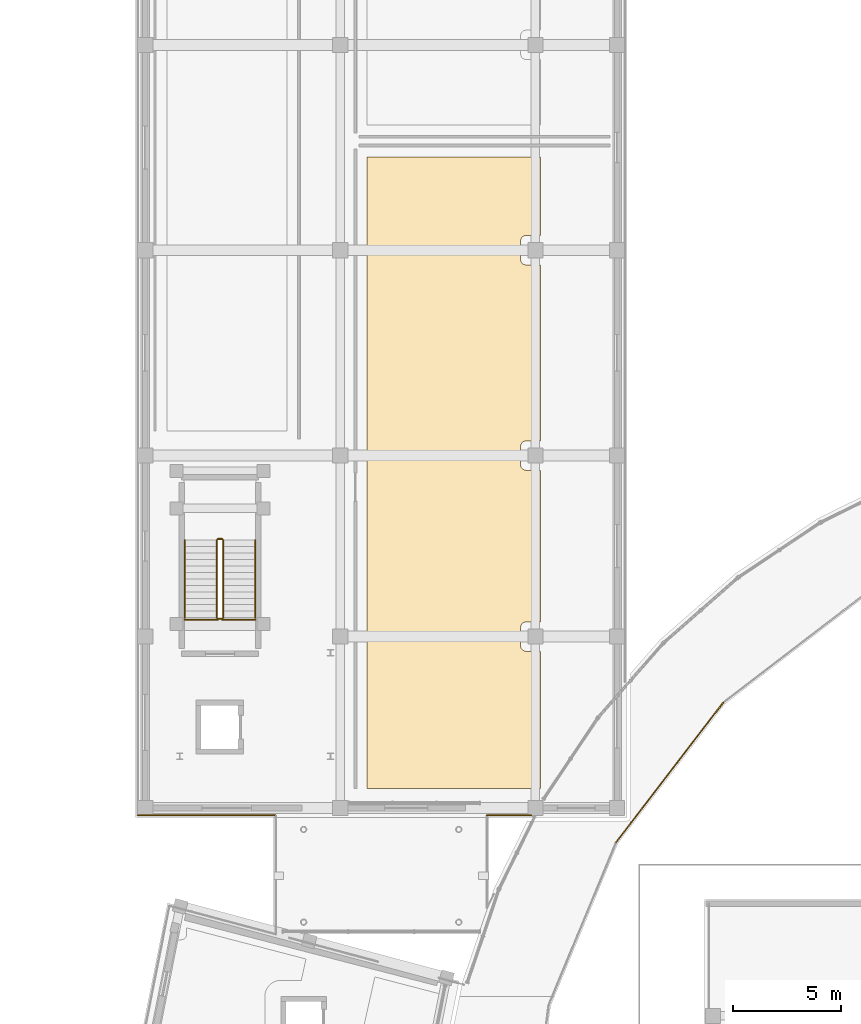
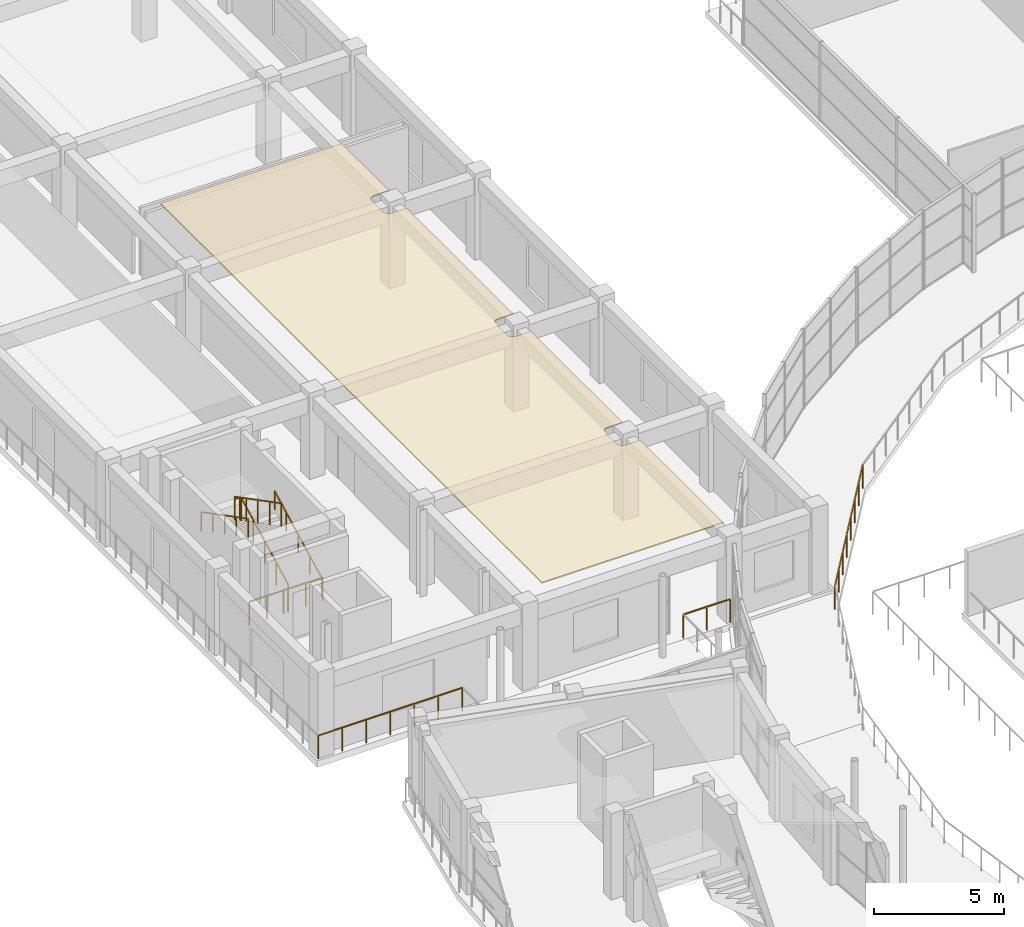
# One storey, part 74 of 83: 11 railings, 1 covering.
"""IFC4 building model written with IfcOpenShell, lengths in metres."""

from ifc_helpers import new_model, si_unit, direction, frame, origin, origin_2d, place, context, subcontext, project, spatial, polyline, rectangle, outline, extrude, material, layer, layer_set, type_object, element, save


model = new_model("IFC4")

# Units and contexts
model_context = context("Model", 3, precision=1e-05, world=origin(), true_north=direction((0.0, 1.0)))
body_context = subcontext(model_context, "Body", "Model", "MODEL_VIEW")
ifc_project = project(units=[si_unit("LENGTHUNIT", "METRE"), si_unit("AREAUNIT", "SQUARE_METRE"), si_unit("VOLUMEUNIT", "CUBIC_METRE"), si_unit("PLANEANGLEUNIT", "RADIAN"), si_unit("MASSUNIT", "GRAM", prefix="KILO")], contexts=[model_context])

# Site, building, storey
site_placement = place(None, origin())
site = spatial("IfcSite", under=ifc_project, at=site_placement, CompositionType="ELEMENT")
building_placement = place(site_placement, origin())
building = spatial("IfcBuilding", under=site, at=building_placement, Name="Saryqyr Civic Hall", CompositionType="ELEMENT")
storey_placement = place(building_placement, frame((0.0, 0.0, 9.14990234375)))
storey = spatial("IfcBuildingStorey", under=building, at=storey_placement, Name="L02", CompositionType="ELEMENT", Elevation=9.14990234375)

# Covering
ifc_material_1 = material(Name="Mineral-fibre acoustic ceiling tile", Category="acoustic_tile")
ifc_layer_1 = layer(ifc_material_1, 0.06005859375, Name="Mineral-fibre acoustic ceiling tile")
ifc_layer_set_1 = layer_set([ifc_layer_1], Name="Mineral-fibre acoustic ceiling tile")
covering_type = type_object("IfcCoveringType", Name="INT-COV-CEIL-60", PredefinedType="CEILING", material=ifc_layer_set_1)
covering_placement = place(storey_placement, frame((0.0, 0.0, 3.72998046875)))
element("IfcCovering", 1, at=covering_placement, inside=storey, type_object=covering_type, Name="Acoustic ceiling Legislative Reference Law Stacks", PredefinedType="CEILING", context=body_context, shape_type="SweptSolid", body=[
    extrude(outline(polyline([(18.35009765625, 102.14990234375), (18.35009765625, 131.449951171875), (26.39990234375, 131.449951171875), (26.39990234375, 127.81005859375), (25.719970703125, 127.81005859375), (25.695556640625, 127.808837890625), (25.671142578125, 127.80517578125), (25.6474609375, 127.79931640625), (25.624267578125, 127.791015625), (25.602294921875, 127.780517578125), (25.5810546875, 127.767822265625), (25.561279296875, 127.75341796875), (25.543212890625, 127.73681640625), (25.526611328125, 127.718505859375), (25.51220703125, 127.698974609375), (25.49951171875, 127.677734375), (25.489013671875, 127.65576171875), (25.480712890625, 127.632568359375), (25.474853515625, 127.60888671875), (25.47119140625, 127.58447265625), (25.469970703125, 127.56005859375), (25.469970703125, 126.699951171875), (25.47119140625, 126.675537109375), (25.474853515625, 126.651123046875), (25.480712890625, 126.62744140625), (25.489013671875, 126.604248046875), (25.49951171875, 126.582275390625), (25.51220703125, 126.56103515625), (25.526611328125, 126.54150390625), (25.543212890625, 126.523193359375), (25.561279296875, 126.506591796875), (25.5810546875, 126.4921875), (25.602294921875, 126.4794921875), (25.624267578125, 126.468994140625), (25.6474609375, 126.460693359375), (25.671142578125, 126.454833984375), (25.695556640625, 126.451171875), (25.719970703125, 126.449951171875), (26.39990234375, 126.449951171875), (26.39990234375, 118.280029296875), (25.719970703125, 118.280029296875), (25.695556640625, 118.27880859375), (25.671142578125, 118.275146484375), (25.6474609375, 118.269287109375), (25.624267578125, 118.260986328125), (25.602294921875, 118.25048828125), (25.5810546875, 118.23779296875), (25.561279296875, 118.223388671875), (25.543212890625, 118.206787109375), (25.526611328125, 118.188720703125), (25.51220703125, 118.1689453125), (25.49951171875, 118.147705078125), (25.489013671875, 118.125732421875), (25.480712890625, 118.1025390625), (25.474853515625, 118.078857421875), (25.47119140625, 118.054443359375), (25.469970703125, 118.030029296875), (25.469970703125, 117.169921875), (25.47119140625, 117.1455078125), (25.474853515625, 117.12109375), (25.480712890625, 117.097412109375), (25.489013671875, 117.07421875), (25.49951171875, 117.05224609375), (25.51220703125, 117.031005859375), (25.526611328125, 117.011474609375), (25.543212890625, 116.9931640625), (25.561279296875, 116.976806640625), (25.5810546875, 116.962158203125), (25.602294921875, 116.949462890625), (25.624267578125, 116.93896484375), (25.6474609375, 116.930908203125), (25.671142578125, 116.9248046875), (25.695556640625, 116.921142578125), (25.719970703125, 116.919921875), (26.39990234375, 116.919921875), (26.39990234375, 109.8798828125), (25.719970703125, 109.8798828125), (25.695556640625, 109.87890625), (25.671142578125, 109.875244140625), (25.6474609375, 109.869140625), (25.624267578125, 109.861083984375), (25.602294921875, 109.8505859375), (25.5810546875, 109.837890625), (25.561279296875, 109.8232421875), (25.543212890625, 109.806884765625), (25.526611328125, 109.78857421875), (25.51220703125, 109.768798828125), (25.49951171875, 109.747802734375), (25.489013671875, 109.7255859375), (25.480712890625, 109.70263671875), (25.474853515625, 109.6787109375), (25.47119140625, 109.654541015625), (25.469970703125, 109.6298828125), (25.469970703125, 108.77001953125), (25.47119140625, 108.74560546875), (25.474853515625, 108.72119140625), (25.480712890625, 108.697509765625), (25.489013671875, 108.67431640625), (25.49951171875, 108.652099609375), (25.51220703125, 108.631103515625), (25.526611328125, 108.611328125), (25.543212890625, 108.59326171875), (25.561279296875, 108.57666015625), (25.5810546875, 108.56201171875), (25.602294921875, 108.549560546875), (25.624267578125, 108.5390625), (25.6474609375, 108.53076171875), (25.671142578125, 108.52490234375), (25.695556640625, 108.521240234375), (25.719970703125, 108.52001953125), (26.39990234375, 108.52001953125), (26.39990234375, 102.14990234375), (18.35009765625, 102.14990234375)])), origin(), (0.0, 0.0, 1.0), 0.06005859375),
])

# Railings
ifc_material_2 = material(Name="Warm brushed brass and laminated glass", Category="glass")
ifc_layer_2 = layer(ifc_material_2, 0.06005859375, Name="Warm brushed brass and laminated glass")
ifc_layer_set_2 = layer_set([ifc_layer_2], Name="Warm brushed brass and laminated glass")
railing_type_1 = type_object("IfcRailingType", Name="INT-RLG-BAL-1100", PredefinedType="BALUSTRADE", material=ifc_layer_set_2)
railing_1_placement = place(storey_placement, frame((11.669921875, 110.080078125, 0.15576171875)))
element("IfcRailing", 2, at=railing_1_placement, inside=storey, type_object=railing_type_1, Name="L02 ST-3 stair guard 1", PredefinedType="BALUSTRADE", context=body_context, shape_type="SweptSolid", body=[
    extrude(rectangle(XDim=0.048095703125, YDim=0.048095703125, at=origin_2d()), frame((0.0, 0.0, 1.076171875), z_axis=(0.0, 0.887472880572, 0.460859942119), x_axis=(-1.0, 0.0, 0.0)), (0.0, 0.0, 1.0), 4.056396484375),
    extrude(rectangle(XDim=0.0419921875, YDim=0.0419921875, at=origin_2d()), origin(), (0.0, 0.0, 1.0), 1.052001953125),
    extrude(rectangle(XDim=0.0419921875, YDim=0.0419921875, at=origin_2d()), frame((0.0, 0.89990234375, 0.46728515625)), (0.0, 0.0, 1.0), 1.052001953125),
    extrude(rectangle(XDim=0.0419921875, YDim=0.0419921875, at=origin_2d()), frame((0.0, 1.7998046875, 0.9345703125)), (0.0, 0.0, 1.0), 1.052001953125),
    extrude(rectangle(XDim=0.0419921875, YDim=0.0419921875, at=origin_2d()), frame((0.0, 2.699951171875, 1.402099609375)), (0.0, 0.0, 1.0), 1.052001953125),
    extrude(rectangle(XDim=0.0419921875, YDim=0.0419921875, at=origin_2d()), frame((0.0, 3.599853515625, 1.869384765625)), (0.0, 0.0, 1.0), 1.052001953125),
])
railing_2_placement = place(storey_placement, frame((11.6201171875, 113.72998046875, 2.025146484375)))
element("IfcRailing", 3, at=railing_2_placement, inside=storey, type_object=railing_type_1, Name="L02 ST-3 stair guard 2", PredefinedType="BALUSTRADE", context=body_context, shape_type="SweptSolid", body=[
    extrude(rectangle(XDim=0.048095703125, YDim=0.048095703125, at=origin_2d()), frame((0.0, 0.0, 1.076171875), z_axis=(-1.0, 0.0, 0.0), x_axis=(0.0, -1.0, 0.0)), (0.0, 0.0, 1.0), 0.2001953125),
    extrude(rectangle(XDim=0.0419921875, YDim=0.0419921875, at=origin_2d()), origin(), (0.0, 0.0, 1.0), 1.052001953125),
    extrude(rectangle(XDim=0.0419921875, YDim=0.0419921875, at=origin_2d()), frame((-0.2001953125, 0.0, 0.0)), (0.0, 0.0, 1.0), 1.052001953125),
])
railing_3_placement = place(storey_placement, frame((11.3701171875, 113.679931640625, 2.180908203125)))
element("IfcRailing", 4, at=railing_3_placement, inside=storey, type_object=railing_type_1, Name="L02 ST-3 stair guard 3", PredefinedType="BALUSTRADE", context=body_context, shape_type="SweptSolid", body=[
    extrude(rectangle(XDim=0.048095703125, YDim=0.048095703125, at=origin_2d()), frame((0.0, 0.0, 1.076171875), z_axis=(0.0, -0.887497496945, 0.460812535545), x_axis=(1.0, 0.0, 0.0)), (0.0, 0.0, 1.0), 4.05615234375),
    extrude(rectangle(XDim=0.0419921875, YDim=0.0419921875, at=origin_2d()), origin(), (0.0, 0.0, 1.0), 1.052001953125),
    extrude(rectangle(XDim=0.0419921875, YDim=0.0419921875, at=origin_2d()), frame((0.0, -0.89990234375, 0.46728515625)), (0.0, 0.0, 1.0), 1.052001953125),
    extrude(rectangle(XDim=0.0419921875, YDim=0.0419921875, at=origin_2d()), frame((0.0, -1.7998046875, 0.9345703125)), (0.0, 0.0, 1.0), 1.052001953125),
    extrude(rectangle(XDim=0.0419921875, YDim=0.0419921875, at=origin_2d()), frame((0.0, -2.699951171875, 1.40185546875)), (0.0, 0.0, 1.0), 1.052001953125),
    extrude(rectangle(XDim=0.0419921875, YDim=0.0419921875, at=origin_2d()), frame((0.0, -3.599853515625, 1.869140625)), (0.0, 0.0, 1.0), 1.052001953125),
])
railing_4_placement = place(storey_placement, frame((11.6201171875, 110.030029296875, 0.0)))
element("IfcRailing", 5, at=railing_4_placement, inside=storey, type_object=railing_type_1, Name="L02 ST-3 stair guard 4", PredefinedType="BALUSTRADE", context=body_context, shape_type="SweptSolid", body=[
    extrude(rectangle(XDim=0.048095703125, YDim=0.048095703125, at=origin_2d()), frame((0.0, 0.0, 1.076171875), z_axis=(-1.0, 0.0, 0.0), x_axis=(0.0, -1.0, 0.0)), (0.0, 0.0, 1.0), 0.2001953125),
    extrude(rectangle(XDim=0.0419921875, YDim=0.0419921875, at=origin_2d()), origin(), (0.0, 0.0, 1.0), 1.052001953125),
    extrude(rectangle(XDim=0.0419921875, YDim=0.0419921875, at=origin_2d()), frame((-0.2001953125, 0.0, 0.0)), (0.0, 0.0, 1.0), 1.052001953125),
])
railing_5_placement = place(storey_placement, frame((14.10009765625, 100.89990234375, 0.0)))
element("IfcRailing", 6, at=railing_5_placement, inside=storey, type_object=railing_type_1, Name="Interior deck safety balustrade L02-015", PredefinedType="BALUSTRADE", context=body_context, shape_type="SweptSolid", body=[
    extrude(rectangle(XDim=0.048095703125, YDim=0.048095703125, at=origin_2d()), frame((0.0, 0.0, 1.09619140625), z_axis=(-1.0, 0.0, 0.0), x_axis=(0.0, -1.0, 0.0)), (0.0, 0.0, 1.0), 6.400146484375),
    extrude(rectangle(XDim=0.0419921875, YDim=0.0419921875, at=origin_2d()), origin(), (0.0, 0.0, 1.0), 1.072021484375),
    extrude(rectangle(XDim=0.0419921875, YDim=0.0419921875, at=origin_2d()), frame((-1.066650390625, 0.0, 0.0)), (0.0, 0.0, 1.0), 1.072021484375),
    extrude(rectangle(XDim=0.0419921875, YDim=0.0419921875, at=origin_2d()), frame((-2.13330078125, 0.0, 0.0)), (0.0, 0.0, 1.0), 1.072021484375),
    extrude(rectangle(XDim=0.0419921875, YDim=0.0419921875, at=origin_2d()), frame((-3.2001953125, 0.0, 0.0)), (0.0, 0.0, 1.0), 1.072021484375),
    extrude(rectangle(XDim=0.0419921875, YDim=0.0419921875, at=origin_2d()), frame((-4.266845703125, 0.0, 0.0)), (0.0, 0.0, 1.0), 1.072021484375),
    extrude(rectangle(XDim=0.0419921875, YDim=0.0419921875, at=origin_2d()), frame((-5.33349609375, 0.0, 0.0)), (0.0, 0.0, 1.0), 1.072021484375),
    extrude(rectangle(XDim=0.0419921875, YDim=0.0419921875, at=origin_2d()), frame((-6.400146484375, 0.0, 0.0)), (0.0, 0.0, 1.0), 1.072021484375),
])
railing_6_placement = place(storey_placement, frame((34.866943359375, 106.133056640625, 0.0)))
element("IfcRailing", 7, at=railing_6_placement, inside=storey, type_object=railing_type_1, Name="Interior deck safety balustrade L02-093", PredefinedType="BALUSTRADE", context=body_context, shape_type="SweptSolid", body=[
    extrude(rectangle(XDim=0.048095703125, YDim=0.048095703125, at=origin_2d()), frame((0.0, 0.0, 1.09619140625), z_axis=(-0.608764559899, -0.793350937865, 0.0), x_axis=(0.793350937865, -0.608764559899, 0.0)), (0.0, 0.0, 1.0), 8.171142578125),
    extrude(rectangle(XDim=0.0419921875, YDim=0.0419921875, at=origin_2d()), origin(), (0.0, 0.0, 1.0), 1.072021484375),
    extrude(rectangle(XDim=0.0419921875, YDim=0.0419921875, at=origin_2d()), frame((-0.710693359375, -0.926025390625, 0.0)), (0.0, 0.0, 1.0), 1.072021484375),
    extrude(rectangle(XDim=0.0419921875, YDim=0.0419921875, at=origin_2d()), frame((-1.421142578125, -1.852294921875, 0.0)), (0.0, 0.0, 1.0), 1.072021484375),
    extrude(rectangle(XDim=0.0419921875, YDim=0.0419921875, at=origin_2d()), frame((-2.1318359375, -2.7783203125, 0.0)), (0.0, 0.0, 1.0), 1.072021484375),
    extrude(rectangle(XDim=0.0419921875, YDim=0.0419921875, at=origin_2d()), frame((-2.842529296875, -3.704345703125, 0.0)), (0.0, 0.0, 1.0), 1.072021484375),
    extrude(rectangle(XDim=0.0419921875, YDim=0.0419921875, at=origin_2d()), frame((-3.55322265625, -4.63037109375, 0.0)), (0.0, 0.0, 1.0), 1.072021484375),
    extrude(rectangle(XDim=0.0419921875, YDim=0.0419921875, at=origin_2d()), frame((-4.263671875, -5.556640625, 0.0)), (0.0, 0.0, 1.0), 1.072021484375),
    extrude(rectangle(XDim=0.0419921875, YDim=0.0419921875, at=origin_2d()), frame((-4.974365234375, -6.482666015625, 0.0)), (0.0, 0.0, 1.0), 1.072021484375),
])
railing_7_placement = place(storey_placement, frame((25.969970703125, 100.89990234375, 0.0)))
element("IfcRailing", 8, at=railing_7_placement, inside=storey, type_object=railing_type_1, Name="Interior deck safety balustrade L02-098", PredefinedType="BALUSTRADE", context=body_context, shape_type="SweptSolid", body=[
    extrude(rectangle(XDim=0.048095703125, YDim=0.048095703125, at=origin_2d()), frame((0.0, 0.0, 1.09619140625), z_axis=(-1.0, 0.0, 0.0), x_axis=(0.0, -1.0, 0.0)), (0.0, 0.0, 1.0), 2.070068359375),
    extrude(rectangle(XDim=0.0419921875, YDim=0.0419921875, at=origin_2d()), origin(), (0.0, 0.0, 1.0), 1.072021484375),
    extrude(rectangle(XDim=0.0419921875, YDim=0.0419921875, at=origin_2d()), frame((-1.03515625, 0.0, 0.0)), (0.0, 0.0, 1.0), 1.072021484375),
    extrude(rectangle(XDim=0.0419921875, YDim=0.0419921875, at=origin_2d()), frame((-2.070068359375, 0.0, 0.0)), (0.0, 0.0, 1.0), 1.072021484375),
])
for number, where, name in (
    (9, (9.885009765625, 109.97998046875, 0.0), "Interior deck safety balustrade L02-105"),
    (10, (11.6201171875, 109.97998046875, 0.0), "Interior deck safety balustrade L02-106"),
):
    element("IfcRailing", number, at=place(storey_placement, frame(where)), inside=storey, type_object=railing_type_1, Name=name, PredefinedType="BALUSTRADE", context=body_context, shape_type="SweptSolid", body=[
        extrude(rectangle(XDim=0.048095703125, YDim=0.048095703125, at=origin_2d()), frame((0.0, 0.0, 1.09619140625), z_axis=(1.0, 0.0, 0.0), x_axis=(0.0, 1.0, 0.0)), (0.0, 0.0, 1.0), 1.534912109375),
        extrude(rectangle(XDim=0.0419921875, YDim=0.0419921875, at=origin_2d()), origin(), (0.0, 0.0, 1.0), 1.072021484375),
        extrude(rectangle(XDim=0.0419921875, YDim=0.0419921875, at=origin_2d()), frame((0.767578125, 0.0, 0.0)), (0.0, 0.0, 1.0), 1.072021484375),
        extrude(rectangle(XDim=0.0419921875, YDim=0.0419921875, at=origin_2d()), frame((1.534912109375, 0.0, 0.0)), (0.0, 0.0, 1.0), 1.072021484375),
    ])
ifc_material_3 = material(Name="Stainless steel", Category="steel")
ifc_layer_3 = layer(ifc_material_3, 0.050048828125, Name="Stainless steel")
ifc_layer_set_3 = layer_set([ifc_layer_3], Name="Stainless steel")
railing_type_2 = type_object("IfcRailingType", Name="INT-RLG-HND-900", PredefinedType="HANDRAIL", material=ifc_layer_set_3)
railing_8_placement = place(storey_placement, frame((13.14990234375, 110.080078125, 0.15576171875)))
element("IfcRailing", 11, at=railing_8_placement, inside=storey, type_object=railing_type_2, Name="L02 ST-3 stair handrail 1", PredefinedType="HANDRAIL", context=body_context, shape_type="SweptSolid", body=[
    extrude(rectangle(XDim=0.048095703125, YDim=0.048095703125, at=origin_2d()), frame((0.0, 0.0, 0.8759765625), z_axis=(0.0, 0.887472880572, 0.460859942119), x_axis=(-1.0, 0.0, 0.0)), (0.0, 0.0, 1.0), 4.056396484375),
    extrude(rectangle(XDim=0.0419921875, YDim=0.0419921875, at=origin_2d()), origin(), (0.0, 0.0, 1.0), 0.851806640625),
    extrude(rectangle(XDim=0.0419921875, YDim=0.0419921875, at=origin_2d()), frame((0.0, 0.89990234375, 0.46728515625)), (0.0, 0.0, 1.0), 0.851806640625),
    extrude(rectangle(XDim=0.0419921875, YDim=0.0419921875, at=origin_2d()), frame((0.0, 1.7998046875, 0.9345703125)), (0.0, 0.0, 1.0), 0.851806640625),
    extrude(rectangle(XDim=0.0419921875, YDim=0.0419921875, at=origin_2d()), frame((0.0, 2.699951171875, 1.402099609375)), (0.0, 0.0, 1.0), 0.851806640625),
    extrude(rectangle(XDim=0.0419921875, YDim=0.0419921875, at=origin_2d()), frame((0.0, 3.599853515625, 1.869384765625)), (0.0, 0.0, 1.0), 0.851806640625),
])
railing_9_placement = place(storey_placement, frame((9.889892578125, 113.679931640625, 2.180908203125)))
element("IfcRailing", 12, at=railing_9_placement, inside=storey, type_object=railing_type_2, Name="L02 ST-3 stair handrail 2", PredefinedType="HANDRAIL", context=body_context, shape_type="SweptSolid", body=[
    extrude(rectangle(XDim=0.048095703125, YDim=0.048095703125, at=origin_2d()), frame((0.0, 0.0, 0.8759765625), z_axis=(0.0, -0.887497496945, 0.460812535545), x_axis=(1.0, 0.0, 0.0)), (0.0, 0.0, 1.0), 4.05615234375),
    extrude(rectangle(XDim=0.0419921875, YDim=0.0419921875, at=origin_2d()), origin(), (0.0, 0.0, 1.0), 0.851806640625),
    extrude(rectangle(XDim=0.0419921875, YDim=0.0419921875, at=origin_2d()), frame((0.0, -0.89990234375, 0.46728515625)), (0.0, 0.0, 1.0), 0.851806640625),
    extrude(rectangle(XDim=0.0419921875, YDim=0.0419921875, at=origin_2d()), frame((0.0, -1.7998046875, 0.9345703125)), (0.0, 0.0, 1.0), 0.851806640625),
    extrude(rectangle(XDim=0.0419921875, YDim=0.0419921875, at=origin_2d()), frame((0.0, -2.699951171875, 1.40185546875)), (0.0, 0.0, 1.0), 0.851806640625),
    extrude(rectangle(XDim=0.0419921875, YDim=0.0419921875, at=origin_2d()), frame((0.0, -3.599853515625, 1.869140625)), (0.0, 0.0, 1.0), 0.851806640625),
])

save(model, "model.ifc")
